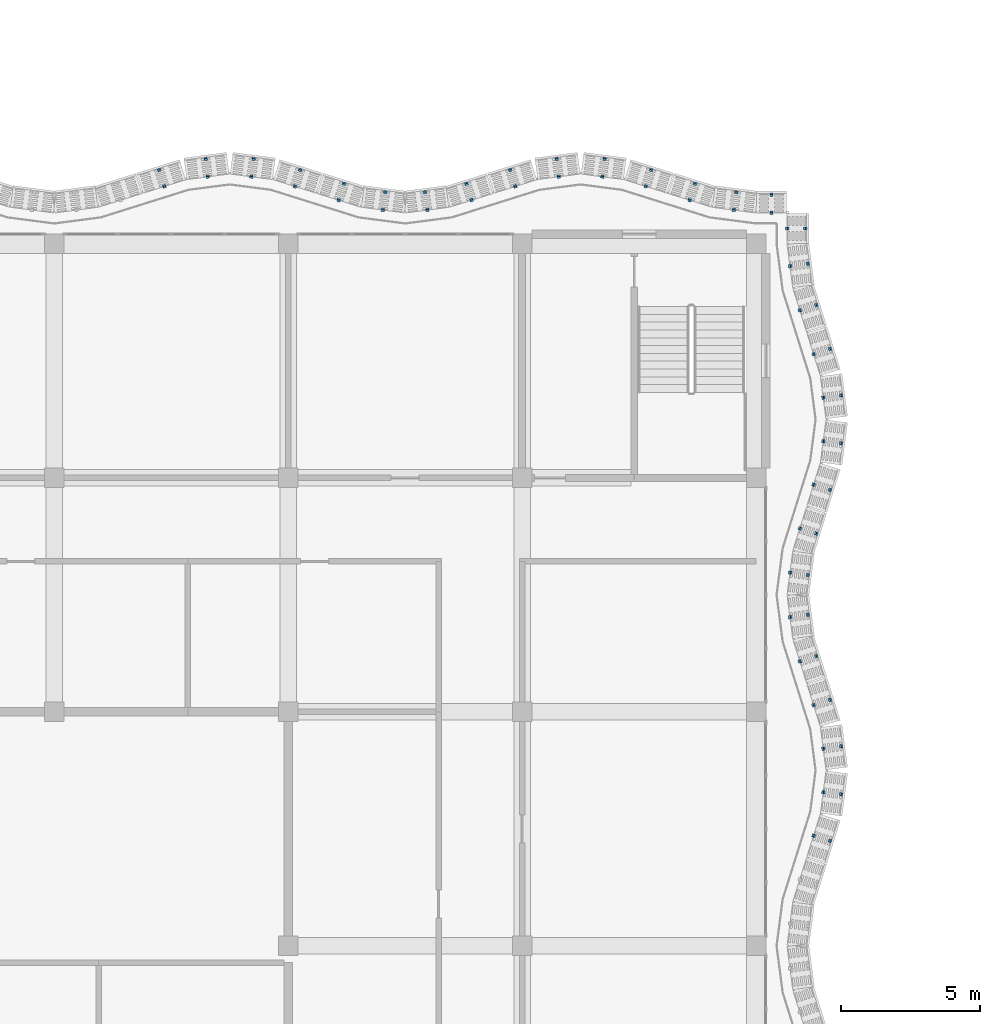
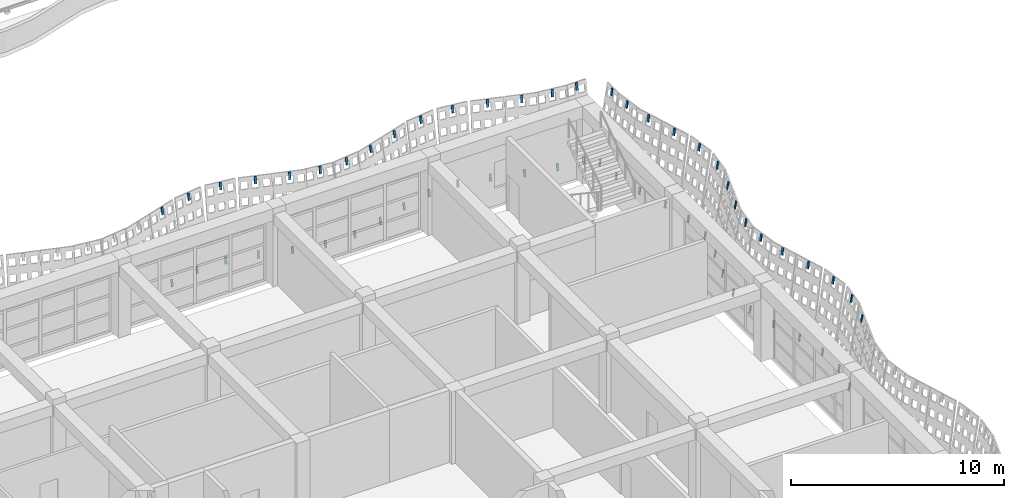
# One storey, part 119 of 163: 60 discrete accessories.
"""IFC4 building model written with IfcOpenShell, lengths in metres."""

from ifc_helpers import new_model, si_unit, direction, frame, origin, origin_2d, place, context, subcontext, project, spatial, rectangle, extrude, material, material_profile, profile_set, type_object, element, save


model = new_model("IFC4")

# Units and contexts
model_context = context("Model", 3, precision=1e-05, world=origin(), true_north=direction((0.0, 1.0)))
body_context = subcontext(model_context, "Body", "Model", "MODEL_VIEW")
ifc_project = project(units=[si_unit("LENGTHUNIT", "METRE"), si_unit("AREAUNIT", "SQUARE_METRE"), si_unit("VOLUMEUNIT", "CUBIC_METRE"), si_unit("PLANEANGLEUNIT", "RADIAN"), si_unit("MASSUNIT", "GRAM", prefix="KILO")], contexts=[model_context])

# Site, building, storey
site_placement = place(None, origin())
site = spatial("IfcSite", under=ifc_project, at=site_placement, CompositionType="ELEMENT")
building_placement = place(site_placement, origin())
building = spatial("IfcBuilding", under=site, at=building_placement, Name="Rain Tree Exposition and Congress Centre", CompositionType="ELEMENT")
storey_placement = place(building_placement, frame((0.0, 0.0, 10.5)))
storey = spatial("IfcBuildingStorey", under=building, at=storey_placement, Name="L02", CompositionType="ELEMENT", Elevation=10.5)

# Discrete accessories
ifc_material = material(Name="Steel S355J2", Category="steel")
ifc_material_profile = material_profile(ifc_material, rectangle(XDim=0.1201171875, YDim=0.050048828125, at=origin_2d()), Name="Flat bar 120x50")
ifc_profile_set = profile_set([ifc_material_profile], Name="Steel S355J2")
discrete_accessory_type = type_object("IfcDiscreteAccessoryType", Name="Screen bracket 120x50", PredefinedType="BRACKET", material=ifc_profile_set)
for number, where, z_axis, x_axis, name in (
    (1, (53.022216796875, 28.980712890625, 3.85107421875), (0.150742588713, -0.04699262887, 0.987455500152), (0.297614686764, 0.954686073127, 0.0), "wing/bracket/L02/0531t"),
    (2, (52.43505859375, 29.165283203125, 0.00390625), (0.150738237635, -0.047601548727, 0.987426997946), (0.301131367937, 0.953582665134, 0.0), "wing/bracket/L02/0531b"),
):
    element("IfcDiscreteAccessory", number, at=place(storey_placement, frame(where, z_axis=z_axis, x_axis=x_axis)), inside=storey, type_object=discrete_accessory_type, Name=name, PredefinedType="BRACKET", context=body_context, shape_type="SweptSolid", body=[
        extrude(rectangle(XDim=0.1201171875, YDim=0.050048828125, at=origin_2d()), origin(), (0.0, 0.0, 1.0), 0.400146484375),
    ])
for number, where, z_axis, x_axis, name in (
    (3, (53.41650390625, 30.6416015625, 3.851318359375), (0.162383358115, -0.020755767579, 0.986509423736), (0.126788023985, 0.991929834703, 0.0), "wing/bracket/L02/0541t"),
    (4, (52.781982421875, 30.72412109375, 0.004150390625), (0.162977636468, -0.020753706516, 0.986411462665), (0.12632075382, 0.991989449114, 0.0), "wing/bracket/L02/0541b"),
    (5, (53.41650390625, 32.3583984375, 3.851318359375), (0.162383358115, 0.020755767579, 0.986509423736), (-0.126788023985, 0.991929834703, 0.0), "wing/bracket/L02/0551t"),
    (6, (52.781982421875, 32.27587890625, 0.004150390625), (0.162977636468, 0.020753706516, 0.986411462665), (-0.12632075382, 0.991989449114, 0.0), "wing/bracket/L02/0551b"),
):
    element("IfcDiscreteAccessory", number, at=place(storey_placement, frame(where, z_axis=z_axis, x_axis=x_axis)), inside=storey, type_object=discrete_accessory_type, Name=name, PredefinedType="BRACKET", context=body_context, shape_type="SweptSolid", body=[
        extrude(rectangle(XDim=0.1201171875, YDim=0.050048828125, at=origin_2d()), origin(), (0.0, 0.0, 1.0), 0.39990234375),
    ])
for number, where, z_axis, x_axis, name in (
    (7, (53.022216796875, 34.019287109375, 3.85107421875), (0.150742588713, 0.04699262887, 0.987455500152), (-0.297614686764, 0.954686073127, 0.0), "wing/bracket/L02/0561t"),
    (8, (52.43505859375, 33.834716796875, 0.00390625), (0.150738237635, 0.047601548727, 0.987426997946), (-0.301131367937, 0.953582665134, 0.0), "wing/bracket/L02/0561b"),
    (9, (52.5283203125, 35.5908203125, 3.85107421875), (0.150738237635, 0.047601548727, 0.987426997946), (-0.301131367937, 0.953582665134, 0.0), "wing/bracket/L02/0571t"),
    (10, (51.941162109375, 35.406494140625, 0.00390625), (0.150742588713, 0.04699262887, 0.987455500152), (-0.297614686764, 0.954686073127, 0.0), "wing/bracket/L02/0571b"),
):
    element("IfcDiscreteAccessory", number, at=place(storey_placement, frame(where, z_axis=z_axis, x_axis=x_axis)), inside=storey, type_object=discrete_accessory_type, Name=name, PredefinedType="BRACKET", context=body_context, shape_type="SweptSolid", body=[
        extrude(rectangle(XDim=0.1201171875, YDim=0.050048828125, at=origin_2d()), origin(), (0.0, 0.0, 1.0), 0.400146484375),
    ])
for number, where, z_axis, x_axis, name in (
    (11, (52.2216796875, 37.081787109375, 3.851318359375), (0.162383358115, 0.020755767579, 0.986509423736), (-0.126788023985, 0.991929834703, 0.0), "wing/bracket/L02/0581t"),
    (12, (51.587158203125, 36.9990234375, 0.004150390625), (0.162975541524, 0.021363835031, 0.986398783159), (-0.129974188098, 0.991517377774, 0.0), "wing/bracket/L02/0581b"),
    (13, (52.2216796875, 38.518310546875, 3.851318359375), (0.162381270396, -0.021365956631, 0.986496740452), (0.130454512571, 0.991454295543, 0.0), "wing/bracket/L02/0591t"),
    (14, (51.587158203125, 38.600830078125, 0.004150390625), (0.162975541524, -0.021363835031, 0.986398783159), (0.129974188098, 0.991517377774, 0.0), "wing/bracket/L02/0591b"),
):
    element("IfcDiscreteAccessory", number, at=place(storey_placement, frame(where, z_axis=z_axis, x_axis=x_axis)), inside=storey, type_object=discrete_accessory_type, Name=name, PredefinedType="BRACKET", context=body_context, shape_type="SweptSolid", body=[
        extrude(rectangle(XDim=0.1201171875, YDim=0.050048828125, at=origin_2d()), origin(), (0.0, 0.0, 1.0), 0.39990234375),
    ])
for number, where, z_axis, x_axis, name in (
    (15, (52.5283203125, 40.009033203125, 3.85107421875), (0.150738237635, -0.047601548727, 0.987426997946), (0.301131367937, 0.953582665134, 0.0), "wing/bracket/L02/0601t"),
    (16, (51.941162109375, 40.193603515625, 0.00390625), (0.150738237635, -0.047601548727, 0.987426997946), (0.301131367937, 0.953582665134, 0.0), "wing/bracket/L02/0601b"),
    (17, (53.022216796875, 41.580810546875, 3.85107421875), (0.150738237635, -0.047601548727, 0.987426997946), (0.301131367937, 0.953582665134, 0.0), "wing/bracket/L02/0611t"),
    (18, (52.43505859375, 41.76513671875, 0.00390625), (0.150742588713, -0.04699262887, 0.987455500152), (0.297614686764, 0.954686073127, 0.0), "wing/bracket/L02/0611b"),
):
    element("IfcDiscreteAccessory", number, at=place(storey_placement, frame(where, z_axis=z_axis, x_axis=x_axis)), inside=storey, type_object=discrete_accessory_type, Name=name, PredefinedType="BRACKET", context=body_context, shape_type="SweptSolid", body=[
        extrude(rectangle(XDim=0.1201171875, YDim=0.050048828125, at=origin_2d()), origin(), (0.0, 0.0, 1.0), 0.400146484375),
    ])
for number, where, z_axis, x_axis, name in (
    (19, (53.41650390625, 43.24169921875, 3.851318359375), (0.162381270396, -0.021365956631, 0.986496740452), (0.130454512571, 0.991454295543, 0.0), "wing/bracket/L02/0621t"),
    (20, (52.781982421875, 43.32421875, 0.004150390625), (0.162975541524, -0.021363835031, 0.986398783159), (0.129974188098, 0.991517377774, 0.0), "wing/bracket/L02/0621b"),
    (21, (53.41650390625, 44.95849609375, 3.851318359375), (0.162383358115, 0.020755767579, 0.986509423736), (-0.126788023985, 0.991929834703, 0.0), "wing/bracket/L02/0631t"),
    (22, (52.781982421875, 44.875732421875, 0.004150390625), (0.162975541524, 0.021363835031, 0.986398783159), (-0.129974188098, 0.991517377774, 0.0), "wing/bracket/L02/0631b"),
):
    element("IfcDiscreteAccessory", number, at=place(storey_placement, frame(where, z_axis=z_axis, x_axis=x_axis)), inside=storey, type_object=discrete_accessory_type, Name=name, PredefinedType="BRACKET", context=body_context, shape_type="SweptSolid", body=[
        extrude(rectangle(XDim=0.1201171875, YDim=0.050048828125, at=origin_2d()), origin(), (0.0, 0.0, 1.0), 0.39990234375),
    ])
for number, where, z_axis, x_axis, name in (
    (23, (53.022216796875, 46.619384765625, 3.85107421875), (0.150742588713, 0.04699262887, 0.987455500152), (-0.297614686764, 0.954686073127, 0.0), "wing/bracket/L02/0641t"),
    (24, (52.43505859375, 46.434814453125, 0.00390625), (0.150742588713, 0.04699262887, 0.987455500152), (-0.297614686764, 0.954686073127, 0.0), "wing/bracket/L02/0641b"),
    (25, (52.5283203125, 48.19091796875, 3.85107421875), (0.150738237635, 0.047601548727, 0.987426997946), (-0.301131367937, 0.953582665134, 0.0), "wing/bracket/L02/0651t"),
    (26, (51.941162109375, 48.00634765625, 0.00390625), (0.150738237635, 0.047601548727, 0.987426997946), (-0.301131367937, 0.953582665134, 0.0), "wing/bracket/L02/0651b"),
):
    element("IfcDiscreteAccessory", number, at=place(storey_placement, frame(where, z_axis=z_axis, x_axis=x_axis)), inside=storey, type_object=discrete_accessory_type, Name=name, PredefinedType="BRACKET", context=body_context, shape_type="SweptSolid", body=[
        extrude(rectangle(XDim=0.1201171875, YDim=0.050048828125, at=origin_2d()), origin(), (0.0, 0.0, 1.0), 0.400146484375),
    ])
for number, where, z_axis, x_axis, name in (
    (27, (52.2216796875, 49.681640625, 3.851318359375), (0.162381270396, 0.021365956631, 0.986496740452), (-0.130454512571, 0.991454295543, 0.0), "wing/bracket/L02/0661t"),
    (28, (51.587158203125, 49.59912109375, 0.004150390625), (0.162975541524, 0.021363835031, 0.986398783159), (-0.129974188098, 0.991517377774, 0.0), "wing/bracket/L02/0661b"),
):
    element("IfcDiscreteAccessory", number, at=place(storey_placement, frame(where, z_axis=z_axis, x_axis=x_axis)), inside=storey, type_object=discrete_accessory_type, Name=name, PredefinedType="BRACKET", context=body_context, shape_type="SweptSolid", body=[
        extrude(rectangle(XDim=0.1201171875, YDim=0.050048828125, at=origin_2d()), origin(), (0.0, 0.0, 1.0), 0.39990234375),
    ])
for number, where, z_axis, x_axis, name in (
    (29, (52.12890625, 50.953857421875, 3.851318359375), (0.16598207031, 0.0, 0.986128770666), (0.0, 1.0, 0.0), "wing/bracket/L02/0671t"),
    (30, (51.48388671875, 50.953857421875, 0.004150390625), (0.165388563864, 0.0, 0.986228484147), (0.0, 1.0, 0.0), "wing/bracket/L02/0671b"),
    (31, (50.953857421875, 52.12890625, 3.851318359375), (0.0, 0.16598207031, 0.986128770666), (-1.0, 0.0, 0.0), "wing/bracket/L02/0681t"),
    (32, (50.953857421875, 51.48388671875, 0.004150390625), (0.0, 0.165388563864, 0.986228484147), (-1.0, 0.0, 0.0), "wing/bracket/L02/0681b"),
):
    element("IfcDiscreteAccessory", number, at=place(storey_placement, frame(where, z_axis=z_axis, x_axis=x_axis)), inside=storey, type_object=discrete_accessory_type, Name=name, PredefinedType="BRACKET", context=body_context, shape_type="SweptSolid", body=[
        extrude(rectangle(XDim=0.1201171875, YDim=0.050048828125, at=origin_2d()), origin(), (0.0, 0.0, 1.0), 0.400146484375),
    ])
for number, where, z_axis, x_axis, name in (
    (33, (49.681640625, 52.2216796875, 3.851318359375), (0.021365956631, 0.162381270396, 0.986496740452), (-0.991454295543, 0.130454512571, 0.0), "wing/bracket/L02/0691t"),
    (34, (49.59912109375, 51.587158203125, 0.004150390625), (0.021363835031, 0.162975541524, 0.986398783159), (-0.991517377774, 0.129974188098, 0.0), "wing/bracket/L02/0691b"),
):
    element("IfcDiscreteAccessory", number, at=place(storey_placement, frame(where, z_axis=z_axis, x_axis=x_axis)), inside=storey, type_object=discrete_accessory_type, Name=name, PredefinedType="BRACKET", context=body_context, shape_type="SweptSolid", body=[
        extrude(rectangle(XDim=0.1201171875, YDim=0.050048828125, at=origin_2d()), origin(), (0.0, 0.0, 1.0), 0.39990234375),
    ])
for number, where, z_axis, x_axis, name in (
    (35, (48.19091796875, 52.5283203125, 3.85107421875), (0.047601548727, 0.150738237635, 0.987426997946), (-0.953582665134, 0.301131367937, 0.0), "wing/bracket/L02/0701t"),
    (36, (48.00634765625, 51.941162109375, 0.00390625), (0.047601548727, 0.150738237635, 0.987426997946), (-0.953582665134, 0.301131367937, 0.0), "wing/bracket/L02/0701b"),
    (37, (46.619384765625, 53.022216796875, 3.85107421875), (0.04699262887, 0.150742588713, 0.987455500152), (-0.954686073127, 0.297614686764, 0.0), "wing/bracket/L02/0711t"),
    (38, (46.434814453125, 52.43505859375, 0.00390625), (0.04699262887, 0.150742588713, 0.987455500152), (-0.954686073127, 0.297614686764, 0.0), "wing/bracket/L02/0711b"),
):
    element("IfcDiscreteAccessory", number, at=place(storey_placement, frame(where, z_axis=z_axis, x_axis=x_axis)), inside=storey, type_object=discrete_accessory_type, Name=name, PredefinedType="BRACKET", context=body_context, shape_type="SweptSolid", body=[
        extrude(rectangle(XDim=0.1201171875, YDim=0.050048828125, at=origin_2d()), origin(), (0.0, 0.0, 1.0), 0.400146484375),
    ])
for number, where, z_axis, x_axis, name in (
    (39, (44.95849609375, 53.41650390625, 3.851318359375), (0.020755767579, 0.162383358115, 0.986509423736), (-0.991929834703, 0.126788023985, 0.0), "wing/bracket/L02/0721t"),
    (40, (44.875732421875, 52.781982421875, 0.004150390625), (0.021363835031, 0.162975541524, 0.986398783159), (-0.991517377774, 0.129974188098, 0.0), "wing/bracket/L02/0721b"),
    (41, (43.24169921875, 53.41650390625, 3.851318359375), (-0.021365956631, 0.162381270396, 0.986496740452), (-0.991454295543, -0.130454512571, 0.0), "wing/bracket/L02/0731t"),
    (42, (43.32421875, 52.781982421875, 0.004150390625), (-0.021363835031, 0.162975541524, 0.986398783159), (-0.991517377774, -0.129974188098, 0.0), "wing/bracket/L02/0731b"),
):
    element("IfcDiscreteAccessory", number, at=place(storey_placement, frame(where, z_axis=z_axis, x_axis=x_axis)), inside=storey, type_object=discrete_accessory_type, Name=name, PredefinedType="BRACKET", context=body_context, shape_type="SweptSolid", body=[
        extrude(rectangle(XDim=0.1201171875, YDim=0.050048828125, at=origin_2d()), origin(), (0.0, 0.0, 1.0), 0.39990234375),
    ])
for number, where, z_axis, x_axis, name in (
    (43, (41.580810546875, 53.022216796875, 3.85107421875), (-0.047601548727, 0.150738237635, 0.987426997946), (-0.953582665134, -0.301131367937, 0.0), "wing/bracket/L02/0741t"),
    (44, (41.76513671875, 52.43505859375, 0.00390625), (-0.04699262887, 0.150742588713, 0.987455500152), (-0.954686073127, -0.297614686764, 0.0), "wing/bracket/L02/0741b"),
    (45, (40.009033203125, 52.5283203125, 3.85107421875), (-0.047601548727, 0.150738237635, 0.987426997946), (-0.953582665134, -0.301131367937, 0.0), "wing/bracket/L02/0751t"),
    (46, (40.193603515625, 51.941162109375, 0.00390625), (-0.047601548727, 0.150738237635, 0.987426997946), (-0.953582665134, -0.301131367937, 0.0), "wing/bracket/L02/0751b"),
):
    element("IfcDiscreteAccessory", number, at=place(storey_placement, frame(where, z_axis=z_axis, x_axis=x_axis)), inside=storey, type_object=discrete_accessory_type, Name=name, PredefinedType="BRACKET", context=body_context, shape_type="SweptSolid", body=[
        extrude(rectangle(XDim=0.1201171875, YDim=0.050048828125, at=origin_2d()), origin(), (0.0, 0.0, 1.0), 0.400146484375),
    ])
for number, where, z_axis, x_axis, name in (
    (47, (38.518310546875, 52.2216796875, 3.851318359375), (-0.021365956631, 0.162381270396, 0.986496740452), (-0.991454295543, -0.130454512571, 0.0), "wing/bracket/L02/0761t"),
    (48, (38.600830078125, 51.587158203125, 0.004150390625), (-0.021363835031, 0.162975541524, 0.986398783159), (-0.991517377774, -0.129974188098, 0.0), "wing/bracket/L02/0761b"),
    (49, (37.081787109375, 52.2216796875, 3.851318359375), (0.020755767579, 0.162383358115, 0.986509423736), (-0.991929834703, 0.126788023985, 0.0), "wing/bracket/L02/0771t"),
    (50, (36.9990234375, 51.587158203125, 0.004150390625), (0.021363835031, 0.162975541524, 0.986398783159), (-0.991517377774, 0.129974188098, 0.0), "wing/bracket/L02/0771b"),
):
    element("IfcDiscreteAccessory", number, at=place(storey_placement, frame(where, z_axis=z_axis, x_axis=x_axis)), inside=storey, type_object=discrete_accessory_type, Name=name, PredefinedType="BRACKET", context=body_context, shape_type="SweptSolid", body=[
        extrude(rectangle(XDim=0.1201171875, YDim=0.050048828125, at=origin_2d()), origin(), (0.0, 0.0, 1.0), 0.39990234375),
    ])
for number, where, z_axis, x_axis, name in (
    (51, (35.5908203125, 52.5283203125, 3.85107421875), (0.047601548727, 0.150738237635, 0.987426997946), (-0.953582665134, 0.301131367937, 0.0), "wing/bracket/L02/0781t"),
    (52, (35.406494140625, 51.941162109375, 0.00390625), (0.04699262887, 0.150742588713, 0.987455500152), (-0.954686073127, 0.297614686764, 0.0), "wing/bracket/L02/0781b"),
    (53, (34.019287109375, 53.022216796875, 3.85107421875), (0.04699262887, 0.150742588713, 0.987455500152), (-0.954686073127, 0.297614686764, 0.0), "wing/bracket/L02/0791t"),
    (54, (33.834716796875, 52.43505859375, 0.00390625), (0.047601548727, 0.150738237635, 0.987426997946), (-0.953582665134, 0.301131367937, 0.0), "wing/bracket/L02/0791b"),
):
    element("IfcDiscreteAccessory", number, at=place(storey_placement, frame(where, z_axis=z_axis, x_axis=x_axis)), inside=storey, type_object=discrete_accessory_type, Name=name, PredefinedType="BRACKET", context=body_context, shape_type="SweptSolid", body=[
        extrude(rectangle(XDim=0.1201171875, YDim=0.050048828125, at=origin_2d()), origin(), (0.0, 0.0, 1.0), 0.400146484375),
    ])
for number, where, z_axis, x_axis, name in (
    (55, (32.3583984375, 53.41650390625, 3.851318359375), (0.020755767579, 0.162383358115, 0.986509423736), (-0.991929834703, 0.126788023985, 0.0), "wing/bracket/L02/0801t"),
    (56, (32.27587890625, 52.781982421875, 0.004150390625), (0.020753706516, 0.162977636468, 0.986411462665), (-0.991989449114, 0.12632075382, 0.0), "wing/bracket/L02/0801b"),
    (57, (30.6416015625, 53.41650390625, 3.851318359375), (-0.020755767579, 0.162383358115, 0.986509423736), (-0.991929834703, -0.126788023985, 0.0), "wing/bracket/L02/0811t"),
    (58, (30.72412109375, 52.781982421875, 0.004150390625), (-0.020753706516, 0.162977636468, 0.986411462665), (-0.991989449114, -0.12632075382, 0.0), "wing/bracket/L02/0811b"),
):
    element("IfcDiscreteAccessory", number, at=place(storey_placement, frame(where, z_axis=z_axis, x_axis=x_axis)), inside=storey, type_object=discrete_accessory_type, Name=name, PredefinedType="BRACKET", context=body_context, shape_type="SweptSolid", body=[
        extrude(rectangle(XDim=0.1201171875, YDim=0.050048828125, at=origin_2d()), origin(), (0.0, 0.0, 1.0), 0.39990234375),
    ])
for number, where, z_axis, x_axis, name in (
    (59, (28.980712890625, 53.022216796875, 3.85107421875), (-0.04699262887, 0.150742588713, 0.987455500152), (-0.954686073127, -0.297614686764, 0.0), "wing/bracket/L02/0821t"),
    (60, (29.165283203125, 52.43505859375, 0.00390625), (-0.047601548727, 0.150738237635, 0.987426997946), (-0.953582665134, -0.301131367937, 0.0), "wing/bracket/L02/0821b"),
):
    element("IfcDiscreteAccessory", number, at=place(storey_placement, frame(where, z_axis=z_axis, x_axis=x_axis)), inside=storey, type_object=discrete_accessory_type, Name=name, PredefinedType="BRACKET", context=body_context, shape_type="SweptSolid", body=[
        extrude(rectangle(XDim=0.1201171875, YDim=0.050048828125, at=origin_2d()), origin(), (0.0, 0.0, 1.0), 0.400146484375),
    ])

save(model, "model.ifc")
